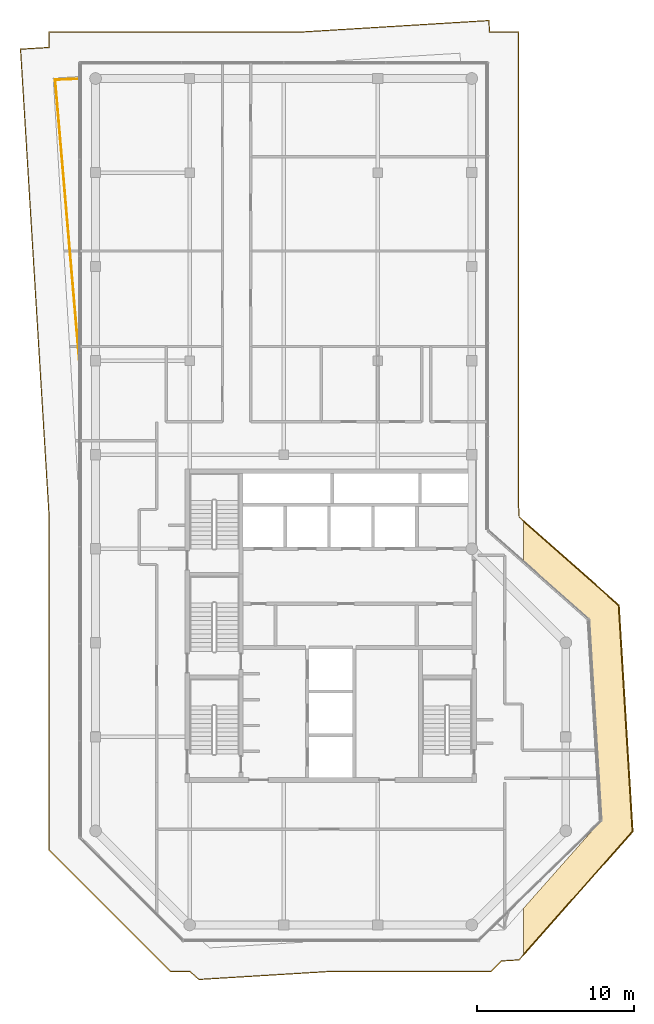
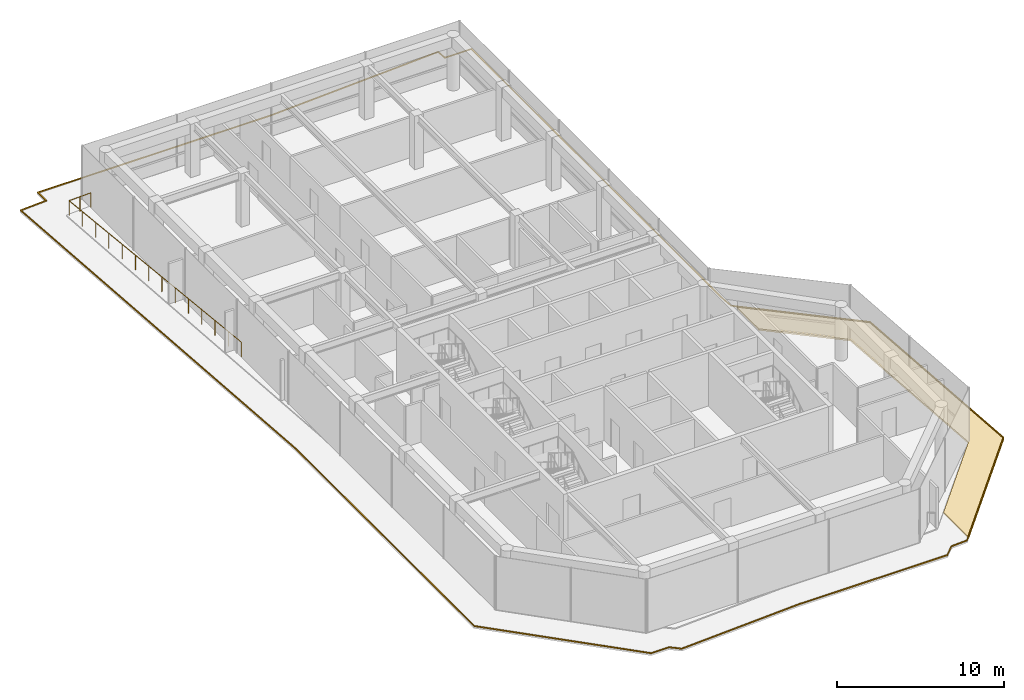
# One storey, part 22 of 22: 3 coverings, 1 railing.
"""IFC4 building model written with IfcOpenShell, lengths in metres."""

from ifc_helpers import new_model, si_unit, direction, frame, origin, origin_2d, place, context, subcontext, project, spatial, polyline, circle, outline, extrude, material, layer, layer_set, type_object, element, save


model = new_model("IFC4")

# Units and contexts
model_context = context("Model", 3, precision=1e-05, world=origin(), true_north=direction((0.0, 1.0)))
body_context = subcontext(model_context, "Body", "Model", "MODEL_VIEW")
ifc_project = project(units=[si_unit("LENGTHUNIT", "METRE"), si_unit("AREAUNIT", "SQUARE_METRE"), si_unit("VOLUMEUNIT", "CUBIC_METRE"), si_unit("PLANEANGLEUNIT", "RADIAN"), si_unit("MASSUNIT", "GRAM", prefix="KILO")], contexts=[model_context])

# Site, building, storey
site_placement = place(None, origin())
site = spatial("IfcSite", under=ifc_project, at=site_placement, CompositionType="ELEMENT")
building_placement = place(site_placement, origin())
building = spatial("IfcBuilding", under=site, at=building_placement, Name="Welwitschia Terrace Campus", CompositionType="ELEMENT")
storey_placement = place(building_placement, frame((0.0, 0.0, 318.800048828125)))
storey = spatial("IfcBuildingStorey", under=building, at=storey_placement, Name="L71", CompositionType="ELEMENT", Elevation=318.800048828125)

# Railing
ifc_material_1 = material(Name="Stainless steel grade 316", Category="steel")
railing_type = type_object("IfcRailingType", Name="Guard 1100", PredefinedType="GUARDRAIL", material=ifc_material_1)
railing_placement = place(storey_placement, frame((-1.030029296875, 31.977783203125, 0.0)))
element("IfcRailing", 1, at=railing_placement, inside=storey, type_object=railing_type, Name="Guard floor edge L71.0", PredefinedType="GUARDRAIL", context=body_context, shape_type="SweptSolid", body=[
    extrude(circle(Radius=0.02392578125, at=origin_2d()), frame((0.0, 0.0, 1.076171875), z_axis=(-0.085932668664, 0.996300946731, 0.0), x_axis=(-0.996300946731, -0.085932668664, 0.0)), (0.0, 0.0, 1.0), 18.00390625),
    extrude(circle(Radius=0.02392578125, at=origin_2d()), frame((-1.547119140625, 17.937255859375, 1.076171875), z_axis=(0.999059724529, 0.043355124546, 0.0), x_axis=(-0.043355124546, 0.999059724529, 0.0)), (0.0, 0.0, 1.0), 1.548583984375),
    extrude(circle(Radius=0.02099609375, at=origin_2d()), origin(), (0.0, 0.0, 1.0), 1.052001953125),
    extrude(circle(Radius=0.02099609375, at=origin_2d()), frame((-0.118896484375, 1.3798828125, 0.0)), (0.0, 0.0, 1.0), 1.052001953125),
    extrude(circle(Radius=0.02099609375, at=origin_2d()), frame((-0.238037109375, 2.759521484375, 0.0)), (0.0, 0.0, 1.0), 1.052001953125),
    extrude(circle(Radius=0.02099609375, at=origin_2d()), frame((-0.35693359375, 4.139404296875, 0.0)), (0.0, 0.0, 1.0), 1.052001953125),
    extrude(circle(Radius=0.02099609375, at=origin_2d()), frame((-0.47607421875, 5.51904296875, 0.0)), (0.0, 0.0, 1.0), 1.052001953125),
    extrude(circle(Radius=0.02099609375, at=origin_2d()), frame((-0.594970703125, 6.89892578125, 0.0)), (0.0, 0.0, 1.0), 1.052001953125),
    extrude(circle(Radius=0.02099609375, at=origin_2d()), frame((-0.714111328125, 8.27880859375, 0.0)), (0.0, 0.0, 1.0), 1.052001953125),
    extrude(circle(Radius=0.02099609375, at=origin_2d()), frame((-0.8330078125, 9.658447265625, 0.0)), (0.0, 0.0, 1.0), 1.052001953125),
    extrude(circle(Radius=0.02099609375, at=origin_2d()), frame((-0.9521484375, 11.038330078125, 0.0)), (0.0, 0.0, 1.0), 1.052001953125),
    extrude(circle(Radius=0.02099609375, at=origin_2d()), frame((-1.071044921875, 12.418212890625, 0.0)), (0.0, 0.0, 1.0), 1.052001953125),
    extrude(circle(Radius=0.02099609375, at=origin_2d()), frame((-1.190185546875, 13.7978515625, 0.0)), (0.0, 0.0, 1.0), 1.052001953125),
    extrude(circle(Radius=0.02099609375, at=origin_2d()), frame((-1.30908203125, 15.177734375, 0.0)), (0.0, 0.0, 1.0), 1.052001953125),
    extrude(circle(Radius=0.02099609375, at=origin_2d()), frame((-1.42822265625, 16.557373046875, 0.0)), (0.0, 0.0, 1.0), 1.052001953125),
    extrude(circle(Radius=0.02099609375, at=origin_2d()), frame((-1.547119140625, 17.937255859375, 0.0)), (0.0, 0.0, 1.0), 1.052001953125),
    extrude(circle(Radius=0.02099609375, at=origin_2d()), frame((-0.7734375, 17.970703125, 0.0)), (0.0, 0.0, 1.0), 1.052001953125),
    extrude(circle(Radius=0.02099609375, at=origin_2d()), frame((0.0, 18.00439453125, 0.0)), (0.0, 0.0, 1.0), 1.052001953125),
])

# Coverings
ifc_material_2 = material(Name="Bronze anodised aluminium", Category="aluminium")
ifc_layer_1 = layer(ifc_material_2, 0.1201171875)
ifc_layer_set_1 = layer_set([ifc_layer_1], Name="Bronze anodised aluminium")
covering_type_1 = type_object("IfcCoveringType", Name="Sunshade band 2000", PredefinedType="USERDEFINED", material=ifc_layer_set_1)
covering_1_placement = place(storey_placement, frame((0.0, 0.0, -0.199951171875)))
element("IfcCovering", 2, at=covering_1_placement, inside=storey, type_object=covering_type_1, Name="SUNSHADE L71.SE0", ObjectType="SUNSHADE", PredefinedType="USERDEFINED", context=body_context, shape_type="SweptSolid", body=[
    extrude(outline(polyline([(33.415283203125, 16.41259765625), (34.299560546875, 1.954345703125), (27.2958984375, -5.962158203125), (27.2958984375, -2.94384765625), (32.252685546875, 2.658935546875), (31.469482421875, 15.46337890625), (27.2958984375, 19.15625), (27.2958984375, 21.82666015625), (33.415283203125, 16.41259765625)])), origin(), (0.0, 0.0, 1.0), 0.119873046875),
])
ifc_material_3 = material(Name="Bronze anodised aluminium", Category="aluminium")
ifc_layer_2 = layer(ifc_material_3, 0.06005859375)
ifc_layer_set_2 = layer_set([ifc_layer_2], Name="Bronze anodised aluminium")
covering_type_2 = type_object("IfcCoveringType", Name="Sunshade lip 60", PredefinedType="USERDEFINED", material=ifc_layer_set_2)
covering_2_placement = place(storey_placement, frame((0.0, 0.0, -0.080078125)))
element("IfcCovering", 3, at=covering_2_placement, inside=storey, type_object=covering_type_2, Name="SUNSHADE LIP L71.SW0.0", ObjectType="SUNSHADE", PredefinedType="USERDEFINED", context=body_context, shape_type="SweptSolid", body=[
    extrude(outline(polyline([(-3.0, 53.0), (13.13427734375, 53.0), (25.12158203125, 53.733154296875), (25.166259765625, 53.0), (27.0, 53.0), (27.0, 23.019775390625), (27.060302734375, 22.034912109375), (27.2958984375, 21.82666015625), (27.2958984375, 21.74658203125), (27.001953125, 22.006591796875), (26.93994140625, 23.017822265625), (26.93994140625, 52.93994140625), (25.10986328125, 52.93994140625), (25.065185546875, 53.669677734375), (13.13623046875, 52.93994140625), (-2.93994140625, 52.93994140625), (-2.93994140625, 51.956787109375), (-4.759033203125, 51.845458984375), (-2.93994140625, 22.10498046875), (-2.93994140625, 0.7822265625), (4.7822265625, -6.93994140625), (6.0263671875, -6.93994140625), (6.6044921875, -7.451416015625), (14.9658203125, -6.93994140625), (25.2177734375, -6.93994140625), (25.8857421875, -6.272216796875), (27.001953125, -6.203857421875), (27.2958984375, -5.87158203125), (27.2958984375, -5.962158203125), (27.0302734375, -6.26220703125), (25.912109375, -6.33056640625), (25.24267578125, -7.0), (14.967529296875, -7.0), (6.583251953125, -7.5126953125), (6.003662109375, -7.0), (4.75732421875, -7.0), (-3.0, 0.75732421875), (-3.0, 22.103271484375), (-4.822509765625, 51.901611328125), (-3.0, 52.01318359375), (-3.0, 53.0)])), origin(), (0.0, 0.0, 1.0), 0.080078125),
])
covering_3_placement = place(storey_placement, frame((0.0, 0.0, -0.080078125)))
element("IfcCovering", 4, at=covering_3_placement, inside=storey, type_object=covering_type_2, Name="SUNSHADE LIP L71.SE0.0", ObjectType="SUNSHADE", PredefinedType="USERDEFINED", context=body_context, shape_type="SweptSolid", body=[
    extrude(outline(polyline([(34.299560546875, 1.954345703125), (27.2958984375, -5.962158203125), (27.2958984375, -5.87158203125), (34.23828125, 1.975341796875), (33.35693359375, 16.384033203125), (27.2958984375, 21.74658203125), (27.2958984375, 21.82666015625), (33.415283203125, 16.41259765625), (34.299560546875, 1.954345703125)])), origin(), (0.0, 0.0, 1.0), 0.080078125),
])

save(model, "model.ifc")
